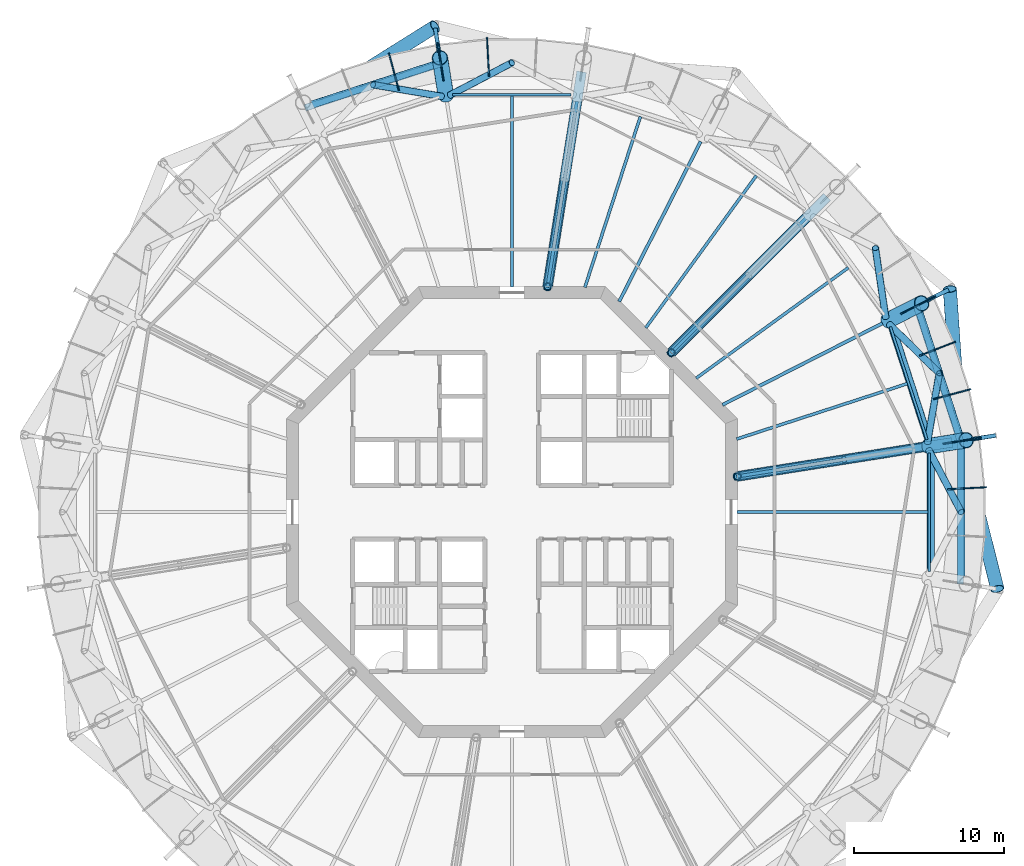
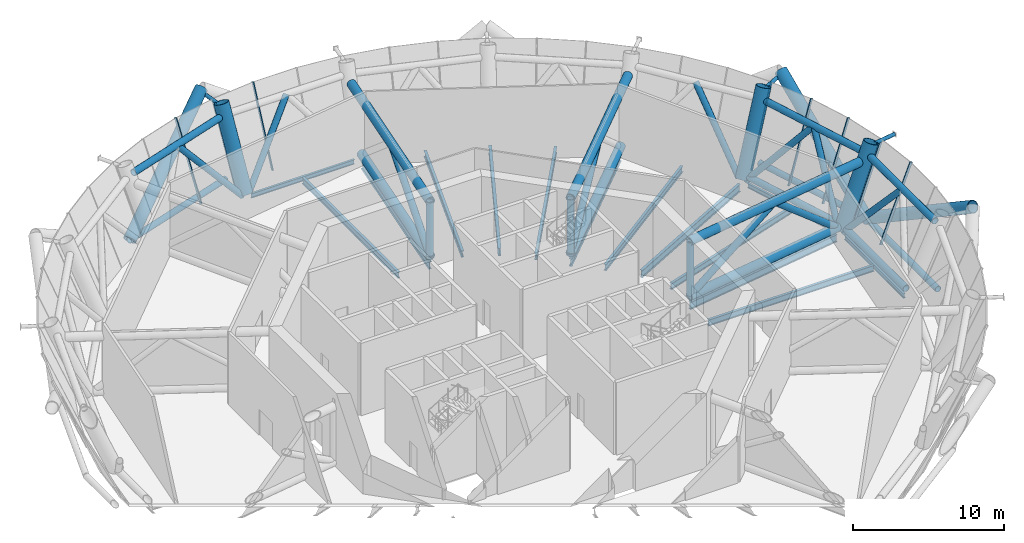
# One storey, part 5 of 20: 44 members, 14 beams, 5 elements without a shape of their own.
"""IFC4 building model written with IfcOpenShell, lengths in metres."""

from ifc_helpers import new_model, si_unit, direction, frame, origin, origin_2d, place, context, subcontext, project, spatial, rectangle, circle, hollow_circle, i_section, extrude, material, layer, layer_set, material_profile, profile_set, type_object, element, aggregate, save


model = new_model("IFC4")

# Units and contexts
model_context = context("Model", 3, precision=1e-05, world=origin(), true_north=direction((0.0, 1.0)))
body_context = subcontext(model_context, "Body", "Model", "MODEL_VIEW")
ifc_project = project(units=[si_unit("LENGTHUNIT", "METRE"), si_unit("AREAUNIT", "SQUARE_METRE"), si_unit("VOLUMEUNIT", "CUBIC_METRE"), si_unit("PLANEANGLEUNIT", "RADIAN"), si_unit("MASSUNIT", "GRAM", prefix="KILO")], contexts=[model_context])

# Site, building, storey
site_placement = place(None, origin())
site = spatial("IfcSite", under=ifc_project, at=site_placement, CompositionType="ELEMENT")
building_placement = place(site_placement, origin())
building = spatial("IfcBuilding", under=site, at=building_placement, Name="Entoto Ring Tower", CompositionType="ELEMENT")
storey_placement = place(building_placement, frame((0.0, 0.0, 330.0)))
storey = spatial("IfcBuildingStorey", under=building, at=storey_placement, Name="L76", CompositionType="ELEMENT", Elevation=330.0)

# Members
ifc_material_1 = material(Name="Steel S355", Category="steel")
ifc_material_profile_1 = material_profile(ifc_material_1, hollow_circle(Radius=0.449951171875, WallThickness=0.044921875, at=origin_2d()), Name="CHS 900 x 45")
ifc_material_2 = material(Name="Concrete C60/75", Category="concrete")
ifc_material_profile_2 = material_profile(ifc_material_2, circle(Radius=0.405029296875, at=origin_2d()), Name="Concrete C60/75 infill")
ifc_profile_set_1 = profile_set([ifc_material_profile_1, ifc_material_profile_2], Name="Steel S355")
member_type_1 = type_object("IfcMemberType", Name="Diagrid diagonal 900 x 45 concrete-filled tube", PredefinedType="BRACE", material=ifc_profile_set_1)
member_1_placement = place(storey_placement, frame((119.828125, 84.724365234375, 0.0), z_axis=(0.209498607785, -0.834845945044, 0.509060488919), x_axis=(0.969926946461, 0.243396217162, 0.0)))
element("IfcMember", 1, at=member_1_placement, inside=storey, type_object=member_type_1, Name="DG2 module 25 01", PredefinedType="BRACE", context=body_context, shape_type="SweptSolid", body=[
    extrude(hollow_circle(Radius=0.449951171875, WallThickness=0.044921875, at=origin_2d()), origin(), (0.0, 0.0, 1.0), 11.786376953125),
])
for number, where, z_axis, x_axis, name in (
    (2, (119.828125, 84.724365234375, 0.0), (-0.058724268288, 0.858720728799, 0.509067942661), (-0.997669863704, -0.068226410257, 0.0), "DG2 module 25 02"),
    (3, (76.28955078125, 106.908447265625, 0.0), (0.729241692547, 0.457223459156, 0.509070979578), (-0.531207647366, 0.847241662915, 0.0), "DG2 module 25 07"),
):
    element("IfcMember", number, at=place(storey_placement, frame(where, z_axis=z_axis, x_axis=x_axis)), inside=storey, type_object=member_type_1, Name=name, PredefinedType="BRACE", context=body_context, shape_type="SweptSolid", body=[
        extrude(hollow_circle(Radius=0.449951171875, WallThickness=0.044921875, at=origin_2d()), origin(), (0.0, 0.0, 1.0), 11.7861328125),
    ])
ifc_material_3 = material(Name="Steel S355", Category="steel")
ifc_material_profile_3 = material_profile(ifc_material_3, hollow_circle(Radius=0.136474609375, WallThickness=0.012451171875, at=origin_2d()), Name="CHS 273 x 12.5")
ifc_material_4 = material(Name="Concrete C60/75", Category="concrete")
ifc_material_profile_4 = material_profile(ifc_material_4, circle(Radius=0.1240234375, at=origin_2d()), Name="Concrete C60/75 infill")
ifc_profile_set_2 = profile_set([ifc_material_profile_3, ifc_material_profile_4], Name="Steel S355")
member_type_2 = type_object("IfcMemberType", Name="Diagrid node strut 273 x 12.5", PredefinedType="STRUT", material=ifc_profile_set_2)
for number, where, z_axis, x_axis, name in (
    (4, (117.6083984375, 94.067138671875, 5.71337890625), (0.891014106181, 0.453975618933, 0.0), (-0.453975618933, 0.891014106181, 0.0), "DS2 strut ring 25 01"),
    (5, (85.15283203125, 110.604248046875, 5.71337890625), (-0.156521685883, 0.987674522223, 0.0), (-0.987674522223, -0.156521685883, 0.0), "DS2 strut ring 25 05"),
    (6, (120.604248046875, 84.84716796875, 5.71337890625), (0.987674522223, 0.156521685883, 0.0), (-0.156521685883, 0.987674522223, 0.0), "DS2 strut ring 25 20"),
):
    element("IfcMember", number, at=place(storey_placement, frame(where, z_axis=z_axis, x_axis=x_axis)), inside=storey, type_object=member_type_2, Name=name, PredefinedType="STRUT", context=body_context, shape_type="SweptSolid", body=[
        extrude(hollow_circle(Radius=0.136474609375, WallThickness=0.012451171875, at=origin_2d()), origin(), (0.0, 0.0, 1.0), 1.614501953125),
    ])
ifc_material_5 = material(Name="Steel S355", Category="steel")
ifc_material_profile_5 = material_profile(ifc_material_5, hollow_circle(Radius=0.228515625, WallThickness=0.02001953125, at=origin_2d()), Name="CHS 457 x 20")
ifc_material_6 = material(Name="Concrete C60/75", Category="concrete")
ifc_material_profile_6 = material_profile(ifc_material_6, circle(Radius=0.20849609375, at=origin_2d()), Name="Concrete C60/75 infill")
ifc_profile_set_3 = profile_set([ifc_material_profile_5, ifc_material_profile_6], Name="Steel S355")
member_type_3 = type_object("IfcMemberType", Name="Diagrid ring beam 457 x 20", PredefinedType="CHORD", material=ifc_profile_set_3)
for number, where, z_axis, x_axis, name in (
    (7, (119.845458984375, 84.6708984375, 0.0), (-0.309002348931, 0.951061274764, 0.0), (-0.951061274764, -0.309002348931, 0.0), "DR3 ring 24 01"),
    (8, (85.3291015625, 109.845458984375, 0.0), (-0.951061274764, -0.309002348931, 0.0), (0.309002348931, -0.951061274764, 0.0), "DR3 ring 24 06"),
    (9, (119.828125, 75.219482421875, 0.0), (0.0, 1.0, 0.0), (-1.0, 0.0, 0.0), "DR3 ring 24 20"),
):
    element("IfcMember", number, at=place(storey_placement, frame(where, z_axis=z_axis, x_axis=x_axis)), inside=storey, type_object=member_type_3, Name=name, PredefinedType="CHORD", context=body_context, shape_type="SweptSolid", body=[
        extrude(hollow_circle(Radius=0.228515625, WallThickness=0.02001953125, at=origin_2d()), origin(), (0.0, 0.0, 1.0), 9.56103515625),
    ])

# Beams
ifc_material_7 = material(Name="Steel S355", Category="steel")
ifc_material_profile_7 = material_profile(ifc_material_7, i_section(OverallWidth=0.169921875, OverallDepth=0.360107421875, WebThickness=0.008056640625, FlangeThickness=0.0126953125, FilletRadius=0.01806640625, at=origin_2d()), Name="IPE 360")
ifc_profile_set_4 = profile_set([ifc_material_profile_7], Name="Steel S355")
beam_type_1 = type_object("IfcBeamType", Name="Edge beam IPE 360", PredefinedType="SPANDREL", material=ifc_profile_set_4)
for number, where, z_axis, x_axis, name in (
    (10, (117.61572265625, 84.8212890625, -0.330078125), (-0.309002883506, 0.951061101079, 0.0), (-0.951061101079, -0.309002883506, 0.0), "Edge beam L76 01"),
    (11, (93.948486328125, 107.754150390625, -0.330078125), (-1.0, 0.0, 0.0), (0.0, -1.0, 0.0), "Edge beam L76 05"),
    (12, (117.754150390625, 76.051513671875, -0.330078125), (0.0, 1.0, 0.0), (-1.0, 0.0, 0.0), "Edge beam L76 20"),
):
    element("IfcBeam", number, at=place(storey_placement, frame(where, z_axis=z_axis, x_axis=x_axis)), inside=storey, type_object=beam_type_1, Name=name, PredefinedType="SPANDREL", context=body_context, shape_type="SweptSolid", body=[
        extrude(i_section(OverallWidth=0.169921875, OverallDepth=0.360107421875, WebThickness=0.008056640625, FlangeThickness=0.0126953125, FilletRadius=0.01806640625, at=origin_2d()), origin(), (0.0, 0.0, 1.0), 7.89697265625),
    ])

# Curtain wall, members
ifc_material_8 = material(Name="Anodised aluminium", Category="aluminium")
ifc_layer = layer(ifc_material_8, 0.10009765625)
ifc_layer_set = layer_set([ifc_layer], Name="Anodised aluminium")
curtain_wall_type = type_object("IfcCurtainWallType", Name="Louvre curtain wall system CW7", PredefinedType="NOTDEFINED", material=ifc_layer_set)
curtain_wall_1_placement = place(storey_placement, origin())
curtain_wall_1 = element("IfcCurtainWall", 13, at=curtain_wall_1_placement, inside=storey, type_object=curtain_wall_type, Name="CW7 L76-01", PredefinedType="NOTDEFINED")
ifc_material_9 = material(Name="Anodised aluminium", Category="aluminium")
ifc_material_profile_8 = material_profile(ifc_material_9, rectangle(XDim=0.080078125, YDim=0.199951171875, at=origin_2d()), Name="Mullion 80 x 200 mm anodised aluminium")
ifc_profile_set_5 = profile_set([ifc_material_profile_8], Name="Anodised aluminium")
member_type_4 = type_object("IfcMemberType", Name="Mullion 80 x 200 mm anodised aluminium", PredefinedType="MULLION", material=ifc_profile_set_5)
member_2_placement = place(storey_placement, frame((118.765869140625, 84.55615234375, 0.03857421875), z_axis=(0.379873712431, 0.060156755817, 0.923080238838), x_axis=(-0.156410801358, 0.987692088264, 0.0)))
member_2 = element("IfcMember", 14, at=member_2_placement, type_object=member_type_4, Name="MULLION L76-00", PredefinedType="MULLION", context=body_context, shape_type="SweptSolid", body=[
    extrude(rectangle(XDim=0.080078125, YDim=0.199951171875, at=origin_2d()), origin(), (0.0, 0.0, 1.0), 6.25390625),
])
member_3_placement = place(storey_placement, frame((118.132080078125, 87.537841796875, 0.03857421875), z_axis=(0.371517215719, 0.099544909119, 0.923074086676), x_axis=(-0.258812183003, 0.965927664957, 0.0)))
member_3 = element("IfcMember", 15, at=member_3_placement, type_object=member_type_4, Name="MULLION L76-01", PredefinedType="MULLION", context=body_context, shape_type="SweptSolid", body=[
    extrude(rectangle(XDim=0.080078125, YDim=0.199951171875, at=origin_2d()), origin(), (0.0, 0.0, 1.0), 6.254150390625),
])
member_4_placement = place(storey_placement, frame((117.18994140625, 90.437255859375, 0.03857421875), z_axis=(0.359065607861, 0.137840906866, 0.92307733893), x_axis=(-0.358387287841, 0.933573002991, 0.0)))
member_4 = element("IfcMember", 16, at=member_4_placement, type_object=member_type_4, Name="MULLION L76-02", PredefinedType="MULLION", context=body_context, shape_type="SweptSolid", body=[
    extrude(rectangle(XDim=0.080078125, YDim=0.199951171875, at=origin_2d()), origin(), (0.0, 0.0, 1.0), 6.25390625),
])
aggregate(curtain_wall_1, [member_2, member_3, member_4])

# Curtain wall, member
curtain_wall_2_placement = place(storey_placement, origin())
curtain_wall_2 = element("IfcCurtainWall", 17, at=curtain_wall_2_placement, inside=storey, type_object=curtain_wall_type, Name="CW7 L76-02", PredefinedType="NOTDEFINED")
member_5_placement = place(storey_placement, frame((115.949951171875, 93.22216796875, 0.03857421875), z_axis=(0.342707021712, 0.174613111757, 0.923072130698), x_axis=(-0.453980514773, 0.891011611713, 0.0)))
member_5 = element("IfcMember", 18, at=member_5_placement, type_object=member_type_4, Name="MULLION L76-03", PredefinedType="MULLION", context=body_context, shape_type="SweptSolid", body=[
    extrude(rectangle(XDim=0.080078125, YDim=0.199951171875, at=origin_2d()), origin(), (0.0, 0.0, 1.0), 6.254150390625),
])
aggregate(curtain_wall_2, [member_5])

curtain_wall_3_placement = place(storey_placement, origin())
curtain_wall_3 = element("IfcCurtainWall", 19, at=curtain_wall_3_placement, inside=storey, type_object=curtain_wall_type, Name="CW7 L76-05", PredefinedType="NOTDEFINED")
member_6_placement = place(storey_placement, frame((88.475830078125, 109.08447265625, 0.03857421875), z_axis=(-0.020143260577, 0.3840882574, 0.923076627145), x_axis=(-0.998627625159, -0.052372380789, 0.0)))
member_6 = element("IfcMember", 20, at=member_6_placement, type_object=member_type_4, Name="MULLION L76-14", PredefinedType="MULLION", context=body_context, shape_type="SweptSolid", body=[
    extrude(rectangle(XDim=0.080078125, YDim=0.199951171875, at=origin_2d()), origin(), (0.0, 0.0, 1.0), 6.254150390625),
])
aggregate(curtain_wall_3, [member_6])

# Curtain wall, members
curtain_wall_4_placement = place(storey_placement, origin())
curtain_wall_4 = element("IfcCurtainWall", 21, at=curtain_wall_4_placement, inside=storey, type_object=curtain_wall_type, Name="CW7 L76-06", PredefinedType="NOTDEFINED")
member_7_placement = place(storey_placement, frame((85.44384765625, 108.765869140625, 0.03857421875), z_axis=(-0.060156755817, 0.379873712431, 0.923080238838), x_axis=(-0.987692088264, -0.156410801358, 0.0)))
member_7 = element("IfcMember", 22, at=member_7_placement, type_object=member_type_4, Name="MULLION L76-15", PredefinedType="MULLION", context=body_context, shape_type="SweptSolid", body=[
    extrude(rectangle(XDim=0.080078125, YDim=0.199951171875, at=origin_2d()), origin(), (0.0, 0.0, 1.0), 6.25390625),
])
member_8_placement = place(storey_placement, frame((82.462158203125, 108.132080078125, 0.03857421875), z_axis=(-0.099544909119, 0.371517215719, 0.923074086676), x_axis=(-0.965927664957, -0.258812183003, 0.0)))
member_8 = element("IfcMember", 23, at=member_8_placement, type_object=member_type_4, Name="MULLION L76-16", PredefinedType="MULLION", context=body_context, shape_type="SweptSolid", body=[
    extrude(rectangle(XDim=0.080078125, YDim=0.199951171875, at=origin_2d()), origin(), (0.0, 0.0, 1.0), 6.254150390625),
])
aggregate(curtain_wall_4, [member_7, member_8])

# Curtain wall, member
curtain_wall_5_placement = place(storey_placement, origin())
curtain_wall_5 = element("IfcCurtainWall", 24, at=curtain_wall_5_placement, inside=storey, type_object=curtain_wall_type, Name="CW7 L76-20", PredefinedType="NOTDEFINED")
member_9_placement = place(storey_placement, frame((119.08447265625, 81.524169921875, 0.03857421875), z_axis=(0.3840882574, 0.020143260577, 0.923076627145), x_axis=(-0.052372380789, 0.998627625159, 0.0)))
member_9 = element("IfcMember", 25, at=member_9_placement, type_object=member_type_4, Name="MULLION L76-59", PredefinedType="MULLION", context=body_context, shape_type="SweptSolid", body=[
    extrude(rectangle(XDim=0.080078125, YDim=0.199951171875, at=origin_2d()), origin(), (0.0, 0.0, 1.0), 6.254150390625),
])
aggregate(curtain_wall_5, [member_9])

# Members
ifc_material_10 = material(Name="Steel S355", Category="steel")
ifc_material_profile_9 = material_profile(ifc_material_10, hollow_circle(Radius=0.330078125, WallThickness=0.031982421875, at=origin_2d()), Name="CHS 660 x 32")
ifc_material_11 = material(Name="Concrete C60/75", Category="concrete")
ifc_material_profile_10 = material_profile(ifc_material_11, circle(Radius=0.298095703125, at=origin_2d()), Name="Concrete C60/75 infill")
ifc_profile_set_6 = profile_set([ifc_material_profile_9, ifc_material_profile_10], Name="Steel S355")
member_type_5 = type_object("IfcMemberType", Name="Outrigger chord 660 x 32", PredefinedType="CHORD", material=ifc_profile_set_6)
member_10_placement = place(storey_placement, frame((104.9287109375, 82.364501953125, 0.330078125), z_axis=(0.987687724412, 0.156438355416, 0.0), x_axis=(-0.156438355416, 0.987687724412, 0.0)))
element("IfcMember", 26, at=member_10_placement, inside=storey, type_object=member_type_5, Name="OR1C L76 bottom 01", PredefinedType="CHORD", context=body_context, shape_type="SweptSolid", body=[
    extrude(hollow_circle(Radius=0.330078125, WallThickness=0.031982421875, at=origin_2d()), origin(), (0.0, 0.0, 1.0), 12.7001953125),
])
member_11_placement = place(storey_placement, frame((104.9287109375, 82.364501953125, 4.76708984375), z_axis=(0.987689658061, 0.156426146661, 0.0), x_axis=(-0.156426146661, 0.987689658061, 0.0)))
element("IfcMember", 27, at=member_11_placement, inside=storey, type_object=member_type_5, Name="OR1C L76 top 01", PredefinedType="CHORD", context=body_context, shape_type="SweptSolid", body=[
    extrude(hollow_circle(Radius=0.330078125, WallThickness=0.031982421875, at=origin_2d()), origin(), (0.0, 0.0, 1.0), 14.54931640625),
])
member_12_placement = place(storey_placement, frame((100.592529296875, 90.592529296875, 0.330078125), z_axis=(0.707106781187, 0.707106781187, 0.0), x_axis=(-0.707106781187, 0.707106781187, 0.0)))
element("IfcMember", 28, at=member_12_placement, inside=storey, type_object=member_type_5, Name="OR1C L76 bottom 02", PredefinedType="CHORD", context=body_context, shape_type="SweptSolid", body=[
    extrude(hollow_circle(Radius=0.330078125, WallThickness=0.031982421875, at=origin_2d()), origin(), (0.0, 0.0, 1.0), 12.8349609375),
])
member_13_placement = place(storey_placement, frame((100.592529296875, 90.592529296875, 4.76708984375), z_axis=(0.707106781187, 0.707106781187, 0.0), x_axis=(-0.707106781187, 0.707106781187, 0.0)))
element("IfcMember", 29, at=member_13_placement, inside=storey, type_object=member_type_5, Name="OR1C L76 top 02", PredefinedType="CHORD", context=body_context, shape_type="SweptSolid", body=[
    extrude(hollow_circle(Radius=0.330078125, WallThickness=0.031982421875, at=origin_2d()), origin(), (0.0, 0.0, 1.0), 14.683837890625),
])
member_14_placement = place(storey_placement, frame((92.364501953125, 94.9287109375, 0.330078125), z_axis=(0.156438355416, 0.987687724412, 0.0), x_axis=(-0.987687724412, 0.156438355416, 0.0)))
element("IfcMember", 30, at=member_14_placement, inside=storey, type_object=member_type_5, Name="OR1C L76 bottom 03", PredefinedType="CHORD", context=body_context, shape_type="SweptSolid", body=[
    extrude(hollow_circle(Radius=0.330078125, WallThickness=0.031982421875, at=origin_2d()), origin(), (0.0, 0.0, 1.0), 12.7001953125),
])
member_15_placement = place(storey_placement, frame((92.364501953125, 94.9287109375, 4.76708984375), z_axis=(0.156426146661, 0.987689658061, 0.0), x_axis=(-0.987689658061, 0.156426146661, 0.0)))
element("IfcMember", 31, at=member_15_placement, inside=storey, type_object=member_type_5, Name="OR1C L76 top 03", PredefinedType="CHORD", context=body_context, shape_type="SweptSolid", body=[
    extrude(hollow_circle(Radius=0.330078125, WallThickness=0.031982421875, at=origin_2d()), origin(), (0.0, 0.0, 1.0), 14.54931640625),
])
ifc_material_12 = material(Name="Steel S355", Category="steel")
ifc_material_profile_11 = material_profile(ifc_material_12, hollow_circle(Radius=0.25390625, WallThickness=0.030029296875, at=origin_2d()), Name="CHS 508 x 30")
ifc_material_13 = material(Name="Concrete C60/75", Category="concrete")
ifc_material_profile_12 = material_profile(ifc_material_13, circle(Radius=0.22412109375, at=origin_2d()), Name="Concrete C60/75 infill")
ifc_profile_set_7 = profile_set([ifc_material_profile_11, ifc_material_profile_12], Name="Steel S355")
member_type_6 = type_object("IfcMemberType", Name="Outrigger diagonal 508 x 30", PredefinedType="BRACE", material=ifc_profile_set_7)
member_16_placement = place(storey_placement, frame((104.845703125, 82.351318359375, 0.2333984375), z_axis=(0.840421364823, 0.133101606352, 0.525334076503), x_axis=(-0.15642522315, 0.987689804322, 0.0)))
element("IfcMember", 32, at=member_16_placement, inside=storey, type_object=member_type_6, Name="OR2B L76 01 1", PredefinedType="BRACE", context=body_context, shape_type="SweptSolid", body=[
    extrude(hollow_circle(Radius=0.25390625, WallThickness=0.030029296875, at=origin_2d()), origin(), (0.0, 0.0, 1.0), 8.630126953125),
])
member_17_placement = place(storey_placement, frame((112.0986328125, 83.5, 4.76708984375), z_axis=(0.759579836959, 0.120323704242, -0.639187513553), x_axis=(-0.156457395223, 0.987684708538, 0.0)))
element("IfcMember", 33, at=member_17_placement, inside=storey, type_object=member_type_6, Name="OR2B L76 01 2", PredefinedType="BRACE", context=body_context, shape_type="SweptSolid", body=[
    extrude(hollow_circle(Radius=0.25390625, WallThickness=0.030029296875, at=origin_2d()), origin(), (0.0, 0.0, 1.0), 7.11572265625),
])
member_18_placement = place(storey_placement, frame((100.5009765625, 90.5009765625, 0.239013671875), z_axis=(0.60381536457, 0.60381536457, 0.520397935255), x_axis=(-0.707106781187, 0.707106781187, 0.0)))
element("IfcMember", 34, at=member_18_placement, inside=storey, type_object=member_type_6, Name="OR2B L76 02 1", PredefinedType="BRACE", context=body_context, shape_type="SweptSolid", body=[
    extrude(hollow_circle(Radius=0.25390625, WallThickness=0.030029296875, at=origin_2d()), origin(), (0.0, 0.0, 1.0), 8.701171875),
])
member_19_placement = place(storey_placement, frame((92.351318359375, 94.845703125, 0.2333984375), z_axis=(0.133101606352, 0.840421364823, 0.525334076503), x_axis=(-0.987689804322, 0.15642522315, 0.0)))
element("IfcMember", 35, at=member_19_placement, inside=storey, type_object=member_type_6, Name="OR2B L76 03 1", PredefinedType="BRACE", context=body_context, shape_type="SweptSolid", body=[
    extrude(hollow_circle(Radius=0.25390625, WallThickness=0.030029296875, at=origin_2d()), origin(), (0.0, 0.0, 1.0), 8.630126953125),
])
ifc_material_14 = material(Name="Steel S355", Category="steel")
ifc_material_profile_13 = material_profile(ifc_material_14, hollow_circle(Radius=0.25390625, WallThickness=0.030029296875, at=origin_2d()), Name="CHS 508 x 30")
ifc_material_15 = material(Name="Concrete C60/75", Category="concrete")
ifc_material_profile_14 = material_profile(ifc_material_15, circle(Radius=0.22412109375, at=origin_2d()), Name="Concrete C60/75 infill")
ifc_profile_set_8 = profile_set([ifc_material_profile_13, ifc_material_profile_14], Name="Steel S355")
member_type_7 = type_object("IfcMemberType", Name="Outrigger post 508 x 30", PredefinedType="POST", material=ifc_profile_set_8)
for number, where, z_axis, x_axis, name in (
    (36, (105.0, 82.375732421875, 0.330078125), (0.0, 0.0, 1.0), (1.0, 0.0, 0.0), "OR3 L76 01"),
    (37, (100.606689453125, 90.606689453125, 0.330078125), (0.0, 0.0, 1.0), (1.0, 0.0, 0.0), "OR3 L76 02"),
    (38, (92.375732421875, 95.0, 0.330078125), (0.0, 0.0, 1.0), (1.0, 0.0, 0.0), "OR3 L76 03"),
):
    element("IfcMember", number, at=place(storey_placement, frame(where, z_axis=z_axis, x_axis=x_axis)), inside=storey, type_object=member_type_7, Name=name, PredefinedType="POST", context=body_context, shape_type="SweptSolid", body=[
        extrude(hollow_circle(Radius=0.25390625, WallThickness=0.030029296875, at=origin_2d()), origin(), (0.0, 0.0, 1.0), 4.43701171875),
    ])

# Beams
ifc_material_16 = material(Name="Steel S355", Category="steel")
ifc_material_profile_15 = material_profile(ifc_material_16, i_section(OverallWidth=0.219970703125, OverallDepth=0.60009765625, WebThickness=0.011962890625, FlangeThickness=0.01904296875, FilletRadius=0.02392578125, at=origin_2d()), Name="IPE 600")
ifc_profile_set_9 = profile_set([ifc_material_profile_15], Name="Steel S355")
beam_type_2 = type_object("IfcBeamType", Name="Primary floor beam IPE 600", PredefinedType="BEAM", material=ifc_profile_set_9)
beam_1_placement = place(storey_placement, frame((104.963134765625, 82.369873046875, -0.449951171875), z_axis=(0.987687519796, 0.156439647277, 0.0), x_axis=(-0.156439647277, 0.987687519796, 0.0)))
element("IfcBeam", 39, at=beam_1_placement, inside=storey, type_object=beam_type_2, Name="Primary L76 R01", PredefinedType="BEAM", context=body_context, shape_type="SweptSolid", body=[
    extrude(i_section(OverallWidth=0.219970703125, OverallDepth=0.60009765625, WebThickness=0.011962890625, FlangeThickness=0.01904296875, FilletRadius=0.02392578125, at=origin_2d()), origin(), (0.0, 0.0, 1.0), 12.50830078125),
])
beam_2_placement = place(storey_placement, frame((104.003173828125, 87.135009765625, -0.449951171875), z_axis=(0.891007666593, 0.453988257638, 0.0), x_axis=(-0.453988257638, 0.891007666593, 0.0)))
element("IfcBeam", 40, at=beam_2_placement, inside=storey, type_object=beam_type_2, Name="Primary L76 R02", PredefinedType="BEAM", context=body_context, shape_type="SweptSolid", body=[
    extrude(i_section(OverallWidth=0.219970703125, OverallDepth=0.60009765625, WebThickness=0.011962890625, FlangeThickness=0.01904296875, FilletRadius=0.02392578125, at=origin_2d()), origin(), (0.0, 0.0, 1.0), 11.941650390625),
])
beam_3_placement = place(storey_placement, frame((100.592529296875, 90.592529296875, -0.449951171875), z_axis=(0.707106781187, 0.707106781187, 0.0), x_axis=(-0.707106781187, 0.707106781187, 0.0)))
element("IfcBeam", 41, at=beam_3_placement, inside=storey, type_object=beam_type_2, Name="Primary L76 R03", PredefinedType="BEAM", context=body_context, shape_type="SweptSolid", body=[
    extrude(i_section(OverallWidth=0.219970703125, OverallDepth=0.60009765625, WebThickness=0.011962890625, FlangeThickness=0.01904296875, FilletRadius=0.02392578125, at=origin_2d()), origin(), (0.0, 0.0, 1.0), 12.677978515625),
])
beam_4_placement = place(storey_placement, frame((97.135009765625, 94.003173828125, -0.449951171875), z_axis=(0.453988257638, 0.891007666593, 0.0), x_axis=(-0.891007666593, 0.453988257638, 0.0)))
element("IfcBeam", 42, at=beam_4_placement, inside=storey, type_object=beam_type_2, Name="Primary L76 R04", PredefinedType="BEAM", context=body_context, shape_type="SweptSolid", body=[
    extrude(i_section(OverallWidth=0.219970703125, OverallDepth=0.60009765625, WebThickness=0.011962890625, FlangeThickness=0.01904296875, FilletRadius=0.02392578125, at=origin_2d()), origin(), (0.0, 0.0, 1.0), 11.941650390625),
])
beam_5_placement = place(storey_placement, frame((92.369873046875, 94.963134765625, -0.449951171875), z_axis=(0.156439647277, 0.987687519796, 0.0), x_axis=(-0.987687519796, 0.156439647277, 0.0)))
element("IfcBeam", 43, at=beam_5_placement, inside=storey, type_object=beam_type_2, Name="Primary L76 R05", PredefinedType="BEAM", context=body_context, shape_type="SweptSolid", body=[
    extrude(i_section(OverallWidth=0.219970703125, OverallDepth=0.60009765625, WebThickness=0.011962890625, FlangeThickness=0.01904296875, FilletRadius=0.02392578125, at=origin_2d()), origin(), (0.0, 0.0, 1.0), 12.50830078125),
])

# Members
ifc_material_17 = material(Name="Steel S355", Category="steel")
ifc_material_profile_16 = material_profile(ifc_material_17, hollow_circle(Radius=0.52490234375, WallThickness=0.0400390625, at=origin_2d()), Name="CHS 1050 x 40")
ifc_material_18 = material(Name="Concrete C60/75", Category="concrete")
ifc_material_profile_17 = material_profile(ifc_material_18, circle(Radius=0.485107421875, at=origin_2d()), Name="Concrete C60/75 infill")
ifc_profile_set_10 = profile_set([ifc_material_profile_16, ifc_material_profile_17], Name="Steel S355")
member_type_8 = type_object("IfcMemberType", Name="Ring column jog 1050 x 40 concrete-filled tube", PredefinedType="STRUT", material=ifc_profile_set_10)
for number, where, z_axis, x_axis, name in (
    (44, (117.754150390625, 84.395751953125, 0.0), (0.379850189746, 0.060172056163, 0.923088921506), (-0.156459060658, 0.987684444718, 0.0), "RJ5B R01"),
    (45, (115.037353515625, 92.757080078125, 0.0), (0.342697597672, 0.174616520339, 0.923074984698), (-0.453997461601, 0.891002976909, 0.0), "RJ5B R02"),
    (46, (85.604248046875, 107.754150390625, 0.0), (-0.060172056163, 0.379850189746, 0.923088921506), (-0.987684444718, -0.156459060658, 0.0), "RJ5B R06"),
):
    element("IfcMember", number, at=place(storey_placement, frame(where, z_axis=z_axis, x_axis=x_axis)), inside=storey, type_object=member_type_8, Name=name, PredefinedType="STRUT", context=body_context, shape_type="SweptSolid", body=[
        extrude(hollow_circle(Radius=0.52490234375, WallThickness=0.0400390625, at=origin_2d()), origin(), (0.0, 0.0, 1.0), 6.5),
    ])
ifc_material_19 = material(Name="Steel S355", Category="steel")
ifc_material_profile_18 = material_profile(ifc_material_19, hollow_circle(Radius=0.25390625, WallThickness=0.030029296875, at=origin_2d()), Name="CHS 508 x 30")
ifc_material_20 = material(Name="Concrete C60/75", Category="concrete")
ifc_material_profile_19 = material_profile(ifc_material_20, circle(Radius=0.22412109375, at=origin_2d()), Name="Concrete C60/75 infill")
ifc_profile_set_11 = profile_set([ifc_material_profile_18, ifc_material_profile_19], Name="Steel S355")
member_type_9 = type_object("IfcMemberType", Name="Ring truss chord 508 x 30", PredefinedType="CHORD", material=ifc_profile_set_11)
member_20_placement = place(storey_placement, frame((117.72119140625, 84.835205078125, 0.25390625), z_axis=(-0.309010244188, 0.951058709537, 0.0), x_axis=(-0.951058709537, -0.309010244188, 0.0)))
element("IfcMember", 47, at=member_20_placement, inside=storey, type_object=member_type_9, Name="BT1 L76 bottom 01", PredefinedType="CHORD", context=body_context, shape_type="SweptSolid", body=[
    extrude(hollow_circle(Radius=0.25390625, WallThickness=0.030029296875, at=origin_2d()), origin(), (0.0, 0.0, 1.0), 7.935546875),
])
for number, where, z_axis, x_axis, name in (
    (48, (119.755126953125, 85.1572265625, 5.196044921875), (-0.309014010742, 0.951057485731, 0.0), (-0.951057485731, -0.309014010742, 0.0), "BT1 L76 top 01"),
    (49, (84.8427734375, 109.755126953125, 5.196044921875), (-0.951057485731, -0.309014010742, 0.0), (0.309014010742, -0.951057485731, 0.0), "BT1 L76 top 06"),
):
    element("IfcMember", number, at=place(storey_placement, frame(where, z_axis=z_axis, x_axis=x_axis)), inside=storey, type_object=member_type_9, Name=name, PredefinedType="CHORD", context=body_context, shape_type="SweptSolid", body=[
        extrude(hollow_circle(Radius=0.25390625, WallThickness=0.030029296875, at=origin_2d()), origin(), (0.0, 0.0, 1.0), 8.580078125),
    ])
member_21_placement = place(storey_placement, frame((117.858642578125, 76.0322265625, 0.25390625), z_axis=(0.0, 1.0, 0.0), x_axis=(-1.0, 0.0, 0.0)))
element("IfcMember", 50, at=member_21_placement, inside=storey, type_object=member_type_9, Name="BT1 L76 bottom 20", PredefinedType="CHORD", context=body_context, shape_type="SweptSolid", body=[
    extrude(hollow_circle(Radius=0.25390625, WallThickness=0.030029296875, at=origin_2d()), origin(), (0.0, 0.0, 1.0), 7.935546875),
])
member_22_placement = place(storey_placement, frame((119.892333984375, 75.7099609375, 5.196044921875), z_axis=(0.0, 1.0, 0.0), x_axis=(-1.0, 0.0, 0.0)))
element("IfcMember", 51, at=member_22_placement, inside=storey, type_object=member_type_9, Name="BT1 L76 top 20", PredefinedType="CHORD", context=body_context, shape_type="SweptSolid", body=[
    extrude(hollow_circle(Radius=0.25390625, WallThickness=0.030029296875, at=origin_2d()), origin(), (0.0, 0.0, 1.0), 8.580078125),
])
ifc_material_21 = material(Name="Steel S355", Category="steel")
ifc_material_profile_20 = material_profile(ifc_material_21, hollow_circle(Radius=0.228515625, WallThickness=0.02001953125, at=origin_2d()), Name="CHS 457 x 20")
ifc_material_22 = material(Name="Concrete C60/75", Category="concrete")
ifc_material_profile_21 = material_profile(ifc_material_22, circle(Radius=0.20849609375, at=origin_2d()), Name="Concrete C60/75 infill")
ifc_profile_set_12 = profile_set([ifc_material_profile_20, ifc_material_profile_21], Name="Steel S355")
member_type_10 = type_object("IfcMemberType", Name="Ring truss diagonal 457 x 20", PredefinedType="BRACE", material=ifc_profile_set_12)
for number, where, z_axis, x_axis, name in (
    (52, (117.65380859375, 84.6611328125, -0.0322265625), (0.110943414019, 0.654555666471, 0.747829150526), (-0.98593811697, 0.167110830005, 0.0), "BT2 L76 01 a"),
    (53, (118.429443359375, 89.2373046875, 5.196044921875), (-0.474500182482, 0.464338307806, -0.747823182797), (-0.699412173508, -0.714718554082, 0.0), "BT2 L76 01 b"),
    (54, (114.860107421875, 92.978515625, -0.0322265625), (-0.096800841026, 0.65679300794, 0.747831894143), (-0.989312764597, -0.145808963391, 0.0), "BT2 L76 02 a"),
    (55, (90.0, 109.892333984375, 5.196044921875), (-0.588243870997, -0.307758577328, -0.747832739531), (0.463570595327, -0.886059988459, 0.0), "BT2 L76 05 b"),
    (56, (85.3388671875, 107.65380859375, -0.0322265625), (-0.654555666471, 0.110943414019, 0.747829150526), (-0.167110830005, -0.98593811697, 0.0), "BT2 L76 06 a"),
    (57, (119.892333984375, 80.0, 5.196044921875), (-0.307758577328, 0.588243870997, -0.747832739531), (-0.886059988459, -0.463570595327, 0.0), "BT2 L76 20 b"),
):
    element("IfcMember", number, at=place(storey_placement, frame(where, z_axis=z_axis, x_axis=x_axis)), inside=storey, type_object=member_type_10, Name=name, PredefinedType="BRACE", context=body_context, shape_type="SweptSolid", body=[
        extrude(hollow_circle(Radius=0.228515625, WallThickness=0.02001953125, at=origin_2d()), origin(), (0.0, 0.0, 1.0), 6.9912109375),
    ])

# Beams
ifc_material_23 = material(Name="Steel S355", Category="steel")
ifc_material_profile_22 = material_profile(ifc_material_23, i_section(OverallWidth=0.199951171875, OverallDepth=0.5, WebThickness=0.01025390625, FlangeThickness=0.01611328125, FilletRadius=0.02099609375, at=origin_2d()), Name="IPE 500")
ifc_profile_set_13 = profile_set([ifc_material_profile_22], Name="Steel S355")
beam_type_3 = type_object("IfcBeamType", Name="Secondary floor beam IPE 500", PredefinedType="JOIST", material=ifc_profile_set_13)
beam_6_placement = place(storey_placement, frame((104.9501953125, 84.857666015625, -0.39990234375), z_axis=(0.951056587506, 0.30901677521, 0.0), x_axis=(-0.30901677521, 0.951056587506, 0.0)))
element("IfcBeam", 58, at=beam_6_placement, inside=storey, type_object=beam_type_3, Name="Secondary beam L76 01", PredefinedType="JOIST", context=body_context, shape_type="SweptSolid", body=[
    extrude(i_section(OverallWidth=0.199951171875, OverallDepth=0.5, WebThickness=0.01025390625, FlangeThickness=0.01611328125, FilletRadius=0.02099609375, at=origin_2d()), origin(), (0.0, 0.0, 1.0), 11.94970703125),
])
for number, where, z_axis, x_axis, name in (
    (59, (102.257568359375, 88.905517578125, -0.39990234375), (0.80901431041, 0.587788946436, 0.0), (-0.587788946436, 0.80901431041, 0.0), "Secondary beam L76 02"),
    (60, (98.905517578125, 92.257568359375, -0.39990234375), (0.587788946436, 0.80901431041, 0.0), (-0.80901431041, 0.587788946436, 0.0), "Secondary beam L76 03"),
):
    element("IfcBeam", number, at=place(storey_placement, frame(where, z_axis=z_axis, x_axis=x_axis)), inside=storey, type_object=beam_type_3, Name=name, PredefinedType="JOIST", context=body_context, shape_type="SweptSolid", body=[
        extrude(i_section(OverallWidth=0.199951171875, OverallDepth=0.5, WebThickness=0.01025390625, FlangeThickness=0.01611328125, FilletRadius=0.02099609375, at=origin_2d()), origin(), (0.0, 0.0, 1.0), 12.51806640625),
    ])
beam_7_placement = place(storey_placement, frame((94.857666015625, 94.9501953125, -0.39990234375), z_axis=(0.30901677521, 0.951056587506, 0.0), x_axis=(-0.951056587506, 0.30901677521, 0.0)))
element("IfcBeam", 61, at=beam_7_placement, inside=storey, type_object=beam_type_3, Name="Secondary beam L76 04", PredefinedType="JOIST", context=body_context, shape_type="SweptSolid", body=[
    extrude(i_section(OverallWidth=0.199951171875, OverallDepth=0.5, WebThickness=0.01025390625, FlangeThickness=0.01611328125, FilletRadius=0.02099609375, at=origin_2d()), origin(), (0.0, 0.0, 1.0), 11.94970703125),
])
for number, where, z_axis, x_axis, name in (
    (62, (90.0, 94.97998046875, -0.39990234375), (0.0, 1.0, 0.0), (-1.0, 0.0, 0.0), "Secondary beam L76 05"),
    (63, (104.97998046875, 80.0, -0.39990234375), (1.0, 0.0, 0.0), (0.0, 1.0, 0.0), "Secondary beam L76 20"),
):
    element("IfcBeam", number, at=place(storey_placement, frame(where, z_axis=z_axis, x_axis=x_axis)), inside=storey, type_object=beam_type_3, Name=name, PredefinedType="JOIST", context=body_context, shape_type="SweptSolid", body=[
        extrude(i_section(OverallWidth=0.199951171875, OverallDepth=0.5, WebThickness=0.01025390625, FlangeThickness=0.01611328125, FilletRadius=0.02099609375, at=origin_2d()), origin(), (0.0, 0.0, 1.0), 12.68896484375),
    ])

save(model, "model.ifc")
